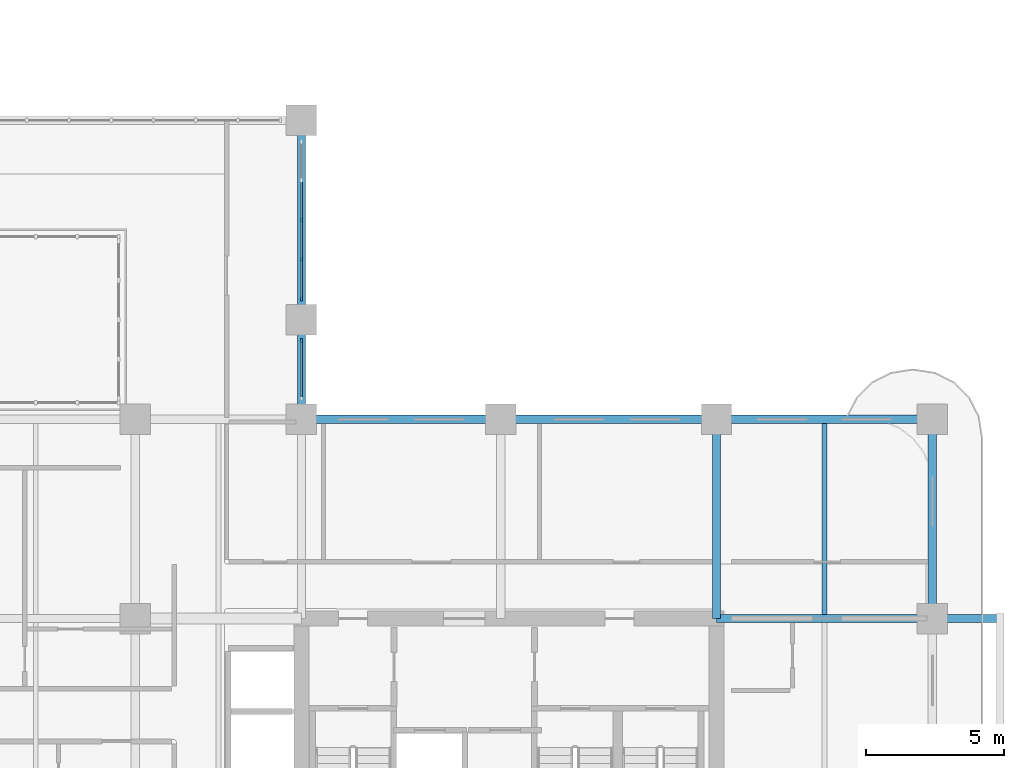
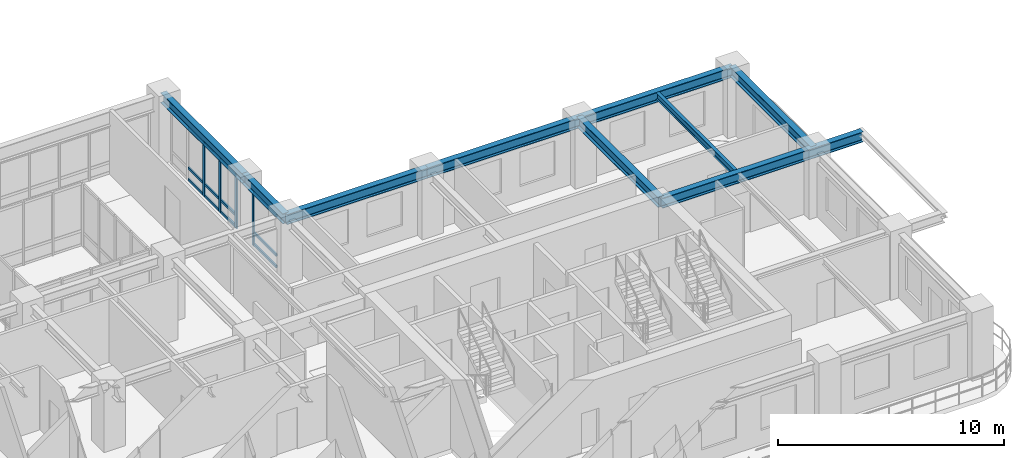
# One storey, part 5 of 22: 16 members, 9 beams, 2 elements without a shape of their own.
"""IFC4 building model written with IfcOpenShell, lengths in metres."""

from ifc_helpers import new_model, si_unit, derived_unit, direction, frame, origin, origin_2d, place, context, subcontext, project, spatial, rectangle, i_section, extrude, source, transform, mapped, material, layer, layer_set, material_profile, profile_set, type_object, type_shapes, element, aggregate, save


model = new_model("IFC4")

# Units and contexts
model_context = context("Model", 3, precision=1e-05, world=origin(), true_north=direction((0.0, 1.0)))
body_context = subcontext(model_context, "Body", "Model", "MODEL_VIEW")
ifc_project = project(units=[si_unit("LENGTHUNIT", "METRE"), si_unit("AREAUNIT", "SQUARE_METRE"), si_unit("VOLUMEUNIT", "CUBIC_METRE"), si_unit("PLANEANGLEUNIT", "RADIAN"), si_unit("MASSUNIT", "GRAM", prefix="KILO"), si_unit("THERMODYNAMICTEMPERATUREUNIT", "KELVIN"), si_unit("POWERUNIT", "WATT"), derived_unit("THERMALTRANSMITTANCEUNIT", [(si_unit("POWERUNIT", "WATT"), 1), (si_unit("AREAUNIT", "SQUARE_METRE"), -1), (si_unit("THERMODYNAMICTEMPERATUREUNIT", "KELVIN"), -1)])], contexts=[model_context])

# Site, building, storey
site_placement = place(None, origin())
site = spatial("IfcSite", under=ifc_project, at=site_placement, CompositionType="ELEMENT")
building_placement = place(site_placement, origin())
building = spatial("IfcBuilding", under=site, at=building_placement, Name="Zahravan Archway Hotel and Residences", CompositionType="ELEMENT")
storey_placement = place(building_placement, frame((0.0, 0.0, 87.89990234375)))
storey = spatial("IfcBuildingStorey", under=building, at=storey_placement, Name="L21", CompositionType="ELEMENT", Elevation=87.89990234375)

# Beams
ifc_material_1 = material(Name="Structural Steel S355JR", Category="steel")
ifc_material_profile_1 = material_profile(ifc_material_1, i_section(OverallWidth=0.300048828125, OverallDepth=0.550048828125, WebThickness=0.014892578125, FlangeThickness=0.029052734375, FilletRadius=0.027099609375, at=origin_2d()), Name="HEB 550", Category="steel")
ifc_profile_set_1 = profile_set([ifc_material_profile_1], Name="Structural Steel S355JR")
beam_type_1 = type_object("IfcBeamType", Name="BM-PRI-HEB550", PredefinedType="BEAM", material=ifc_profile_set_1)
shared_shape_1 = source(origin(), body_context, "Body", "SweptSolid", [
    extrude(i_section(OverallWidth=0.300048828125, OverallDepth=0.550048828125, WebThickness=0.014892578125, FlangeThickness=0.029052734375, FilletRadius=0.027099609375, at=origin_2d()), origin(), (0.0, 0.0, 1.0), 7.2001953125),
])
type_shapes(beam_type_1, [shared_shape_1])
for number, where, z_axis, x_axis, name in (
    (1, (49.800048828125, 14.39990234375, 3.175048828125), (0.0, 1.0, 0.0), (-1.0, 0.0, 0.0), "L21 Primary Girder NS-49"),
    (2, (57.60009765625, 14.39990234375, 3.175048828125), (0.0, 1.0, 0.0), (-1.0, 0.0, 0.0), "L21 Primary Girder NS-52"),
):
    element("IfcBeam", number, at=place(storey_placement, frame(where, z_axis=z_axis, x_axis=x_axis)), inside=storey, type_object=beam_type_1, Name=name, PredefinedType="BEAM", context=body_context, shape_type="MappedRepresentation", body=[
        mapped(shared_shape_1, transform((0.0, 0.0, 0.0), scale=1.0)),
    ])
shared_shape_2 = source(origin(), body_context, "Body", "SweptSolid", [
    extrude(i_section(OverallWidth=0.300048828125, OverallDepth=0.550048828125, WebThickness=0.014892578125, FlangeThickness=0.029052734375, FilletRadius=0.027099609375, at=origin_2d()), origin(), (0.0, 0.0, 1.0), 7.199951171875),
])
for number, where, z_axis, x_axis, name in (
    (3, (34.800048828125, 21.60009765625, 3.175048828125), (1.0, 0.0, 0.0), (0.0, 1.0, 0.0), "L21 Primary Girder EW-17"),
    (4, (34.800048828125, 25.199951171875, 3.175048828125), (0.0, 1.0, 0.0), (-1.0, 0.0, 0.0), "L21 Primary Girder NS-47"),
):
    element("IfcBeam", number, at=place(storey_placement, frame(where, z_axis=z_axis, x_axis=x_axis)), inside=storey, type_object=beam_type_1, Name=name, PredefinedType="BEAM", context=body_context, shape_type="MappedRepresentation", body=[
        mapped(shared_shape_2, transform((0.0, 0.0, 0.0), scale=1.0)),
    ])
shared_shape_3 = source(origin(), body_context, "Body", "SweptSolid", [
    extrude(i_section(OverallWidth=0.300048828125, OverallDepth=0.550048828125, WebThickness=0.014892578125, FlangeThickness=0.029052734375, FilletRadius=0.027099609375, at=origin_2d()), origin(), (0.0, 0.0, 1.0), 7.800048828125),
])
for number, where, z_axis, x_axis, name in (
    (5, (42.0, 21.60009765625, 3.175048828125), (1.0, 0.0, 0.0), (0.0, 1.0, 0.0), "L21 Primary Girder EW-18"),
    (6, (49.800048828125, 21.60009765625, 3.175048828125), (1.0, 0.0, 0.0), (0.0, 1.0, 0.0), "L21 Primary Girder EW-19"),
):
    element("IfcBeam", number, at=place(storey_placement, frame(where, z_axis=z_axis, x_axis=x_axis)), inside=storey, type_object=beam_type_1, Name=name, PredefinedType="BEAM", context=body_context, shape_type="MappedRepresentation", body=[
        mapped(shared_shape_3, transform((0.0, 0.0, 0.0), scale=1.0)),
    ])
shared_shape_4 = source(origin(), body_context, "Body", "SweptSolid", [
    extrude(i_section(OverallWidth=0.300048828125, OverallDepth=0.550048828125, WebThickness=0.014892578125, FlangeThickness=0.029052734375, FilletRadius=0.027099609375, at=origin_2d()), origin(), (0.0, 0.0, 1.0), 3.599853515625),
])
beam_1_placement = place(storey_placement, frame((34.800048828125, 21.60009765625, 3.175048828125), z_axis=(0.0, 1.0, 0.0), x_axis=(-1.0, 0.0, 0.0)))
element("IfcBeam", 7, at=beam_1_placement, inside=storey, type_object=beam_type_1, Name="L21 Primary Girder NS-46", PredefinedType="BEAM", context=body_context, shape_type="MappedRepresentation", body=[
    mapped(shared_shape_4, transform((0.0, 0.0, 0.0), scale=1.0)),
])
shared_shape_5 = source(origin(), body_context, "Body", "SweptSolid", [
    extrude(i_section(OverallWidth=0.300048828125, OverallDepth=0.550048828125, WebThickness=0.014892578125, FlangeThickness=0.029052734375, FilletRadius=0.027099609375, at=origin_2d()), origin(), (0.0, 0.0, 1.0), 10.25),
])
beam_2_placement = place(storey_placement, frame((49.800048828125, 14.39990234375, 3.175048828125), z_axis=(1.0, 0.0, 0.0), x_axis=(0.0, 1.0, 0.0)))
element("IfcBeam", 8, at=beam_2_placement, inside=storey, type_object=beam_type_1, Name="L21 Primary Girder EW-13", PredefinedType="BEAM", context=body_context, shape_type="MappedRepresentation", body=[
    mapped(shared_shape_5, transform((0.0, 0.0, 0.0), scale=1.0)),
])
ifc_material_profile_2 = material_profile(ifc_material_1, i_section(OverallWidth=0.169921875, OverallDepth=0.360107421875, WebThickness=0.008056640625, FlangeThickness=0.0126953125, FilletRadius=0.01806640625, at=origin_2d()), Name="IPE 360", Category="steel")
ifc_profile_set_2 = profile_set([ifc_material_profile_2], Name="Structural Steel S355JR")
beam_type_2 = type_object("IfcBeamType", Name="BM-JST-IPE360", PredefinedType="JOIST", material=ifc_profile_set_2)
shared_shape_6 = source(origin(), body_context, "Body", "SweptSolid", [
    extrude(i_section(OverallWidth=0.169921875, OverallDepth=0.360107421875, WebThickness=0.008056640625, FlangeThickness=0.0126953125, FilletRadius=0.01806640625, at=origin_2d()), origin(), (0.0, 0.0, 1.0), 6.90380859375),
])
beam_3_placement = place(storey_placement, frame((53.699951171875, 14.548095703125, 3.27001953125), z_axis=(0.0, 1.0, 0.0), x_axis=(-1.0, 0.0, 0.0)))
element("IfcBeam", 9, at=beam_3_placement, inside=storey, type_object=beam_type_2, Name="L21 Composite Floor Joist 12", PredefinedType="JOIST", context=body_context, shape_type="MappedRepresentation", body=[
    mapped(shared_shape_6, transform((0.0, 0.0, 0.0), scale=1.0)),
])

# Curtain wall, members
ifc_material_2 = material(Name="Bronze-Anodized Unitised Aluminium & Low-E Glass", Category="aluminium")
ifc_layer = layer(ifc_material_2, 0.179931640625, Name="Bronze-Anodized Unitised Aluminium & Low-E Glass", Category="aluminium")
ifc_layer_set = layer_set([ifc_layer], Name="Bronze-Anodized Unitised Aluminium & Low-E Glass")
curtain_wall_type = type_object("IfcCurtainWallType", Name="CW-ATR-GLAZ", PredefinedType="NOTDEFINED", material=ifc_layer_set)
curtain_wall_1_placement = place(storey_placement, origin())
curtain_wall_1 = element("IfcCurtainWall", 10, at=curtain_wall_1_placement, inside=storey, type_object=curtain_wall_type, Name="L21 Curtain Wall CW-L21-HNG-E-2", PredefinedType="NOTDEFINED")
ifc_material_3 = material(Name="Bronze-Anodized Extruded Aluminium", Category="aluminium")
ifc_material_profile_3 = material_profile(ifc_material_3, rectangle(XDim=0.080078125, YDim=0.139892578125, at=origin_2d()), Name="TRN 80x140", Category="aluminium")
ifc_profile_set_3 = profile_set([ifc_material_profile_3], Name="Bronze-Anodized Extruded Aluminium")
member_type_1 = type_object("IfcMemberType", Name="CWM-TRN-140", PredefinedType="USERDEFINED", material=ifc_profile_set_3)
shared_shape_7 = source(origin(), body_context, "Body", "SweptSolid", [
    extrude(rectangle(XDim=0.080078125, YDim=0.139892578125, at=origin_2d()), origin(), (0.0, 0.0, 1.0), 1.33984375),
])
member_1_placement = place(storey_placement, frame((34.800048828125, 28.840087890625, 0.070068359375), z_axis=(0.0, 1.0, 0.0), x_axis=(-1.0, 0.0, 0.0)))
member_1 = element("IfcMember", 11, at=member_1_placement, type_object=member_type_1, Name="CW-L21-HNG-E-2 Transom 2-1", ObjectType="TRANSOM", PredefinedType="USERDEFINED", context=body_context, shape_type="MappedRepresentation", body=[
    mapped(shared_shape_7, transform((0.0, 0.0, 0.0), scale=1.0)),
])
member_2_placement = place(storey_placement, frame((34.800048828125, 28.840087890625, 0.6923828125), z_axis=(0.0, 1.0, 0.0), x_axis=(-1.0, 0.0, 0.0)))
member_2 = element("IfcMember", 12, at=member_2_placement, type_object=member_type_1, Name="CW-L21-HNG-E-2 Transom 2-2", ObjectType="TRANSOM", PredefinedType="USERDEFINED", context=body_context, shape_type="MappedRepresentation", body=[
    mapped(shared_shape_7, transform((0.0, 0.0, 0.0), scale=1.0)),
])
member_3_placement = place(storey_placement, frame((34.800048828125, 28.840087890625, 2.815185546875), z_axis=(0.0, 1.0, 0.0), x_axis=(-1.0, 0.0, 0.0)))
member_3 = element("IfcMember", 13, at=member_3_placement, type_object=member_type_1, Name="CW-L21-HNG-E-2 Transom 2-3", ObjectType="TRANSOM", PredefinedType="USERDEFINED", context=body_context, shape_type="MappedRepresentation", body=[
    mapped(shared_shape_7, transform((0.0, 0.0, 0.0), scale=1.0)),
])
shared_shape_8 = source(origin(), body_context, "Body", "SweptSolid", [
    extrude(rectangle(XDim=0.080078125, YDim=0.139892578125, at=origin_2d()), origin(), (0.0, 0.0, 1.0), 1.340087890625),
])
member_4_placement = place(storey_placement, frame((34.800048828125, 26.0, 0.070068359375), z_axis=(0.0, 1.0, 0.0), x_axis=(-1.0, 0.0, 0.0)))
member_4 = element("IfcMember", 14, at=member_4_placement, type_object=member_type_1, Name="CW-L21-HNG-E-2 Transom 0-1", ObjectType="TRANSOM", PredefinedType="USERDEFINED", context=body_context, shape_type="MappedRepresentation", body=[
    mapped(shared_shape_8, transform((0.0, 0.0, 0.0), scale=1.0)),
])
member_5_placement = place(storey_placement, frame((34.800048828125, 26.0, 0.6923828125), z_axis=(0.0, 1.0, 0.0), x_axis=(-1.0, 0.0, 0.0)))
member_5 = element("IfcMember", 15, at=member_5_placement, type_object=member_type_1, Name="CW-L21-HNG-E-2 Transom 0-2", ObjectType="TRANSOM", PredefinedType="USERDEFINED", context=body_context, shape_type="MappedRepresentation", body=[
    mapped(shared_shape_8, transform((0.0, 0.0, 0.0), scale=1.0)),
])
member_6_placement = place(storey_placement, frame((34.800048828125, 26.0, 2.815185546875), z_axis=(0.0, 1.0, 0.0), x_axis=(-1.0, 0.0, 0.0)))
member_6 = element("IfcMember", 16, at=member_6_placement, type_object=member_type_1, Name="CW-L21-HNG-E-2 Transom 0-3", ObjectType="TRANSOM", PredefinedType="USERDEFINED", context=body_context, shape_type="MappedRepresentation", body=[
    mapped(shared_shape_8, transform((0.0, 0.0, 0.0), scale=1.0)),
])
member_7_placement = place(storey_placement, frame((34.800048828125, 27.419921875, 0.070068359375), z_axis=(0.0, 1.0, 0.0), x_axis=(-1.0, 0.0, 0.0)))
member_7 = element("IfcMember", 17, at=member_7_placement, type_object=member_type_1, Name="CW-L21-HNG-E-2 Transom 1-1", ObjectType="TRANSOM", PredefinedType="USERDEFINED", context=body_context, shape_type="MappedRepresentation", body=[
    mapped(shared_shape_8, transform((0.0, 0.0, 0.0), scale=1.0)),
])
member_8_placement = place(storey_placement, frame((34.800048828125, 27.419921875, 0.6923828125), z_axis=(0.0, 1.0, 0.0), x_axis=(-1.0, 0.0, 0.0)))
member_8 = element("IfcMember", 18, at=member_8_placement, type_object=member_type_1, Name="CW-L21-HNG-E-2 Transom 1-2", ObjectType="TRANSOM", PredefinedType="USERDEFINED", context=body_context, shape_type="MappedRepresentation", body=[
    mapped(shared_shape_8, transform((0.0, 0.0, 0.0), scale=1.0)),
])
member_9_placement = place(storey_placement, frame((34.800048828125, 27.419921875, 2.815185546875), z_axis=(0.0, 1.0, 0.0), x_axis=(-1.0, 0.0, 0.0)))
member_9 = element("IfcMember", 19, at=member_9_placement, type_object=member_type_1, Name="CW-L21-HNG-E-2 Transom 1-3", ObjectType="TRANSOM", PredefinedType="USERDEFINED", context=body_context, shape_type="MappedRepresentation", body=[
    mapped(shared_shape_8, transform((0.0, 0.0, 0.0), scale=1.0)),
])

# Curtain wall, member
curtain_wall_2_placement = place(storey_placement, origin())
curtain_wall_2 = element("IfcCurtainWall", 20, at=curtain_wall_2_placement, inside=storey, type_object=curtain_wall_type, Name="L21 Curtain Wall CW-L21-HNG-E-1", PredefinedType="NOTDEFINED")
ifc_material_profile_4 = material_profile(ifc_material_3, rectangle(XDim=0.080078125, YDim=0.159912109375, at=origin_2d()), Name="MUL 80x160", Category="aluminium")
ifc_profile_set_4 = profile_set([ifc_material_profile_4], Name="Bronze-Anodized Extruded Aluminium")
member_type_2 = type_object("IfcMemberType", Name="CWM-MUL-160", PredefinedType="MULLION", material=ifc_profile_set_4)
shared_shape_9 = source(origin(), body_context, "Body", "SweptSolid", [
    extrude(rectangle(XDim=0.080078125, YDim=0.159912109375, at=origin_2d()), origin(), (0.0, 0.0, 1.0), 2.885009765625),
])
member_10_placement = place(storey_placement, frame((34.800048828125, 24.43994140625, 0.0), z_axis=(0.0, 0.0, 1.0), x_axis=(1.0, 0.0, 0.0)))
member_10 = element("IfcMember", 21, at=member_10_placement, type_object=member_type_2, Name="CW-L21-HNG-E-1 Mullion 1", PredefinedType="MULLION", context=body_context, shape_type="MappedRepresentation", body=[
    mapped(shared_shape_9, transform((0.0, 0.0, 0.0), scale=1.0)),
])

# Member
member_11_placement = place(storey_placement, frame((34.800048828125, 25.9599609375, 0.0), z_axis=(0.0, 0.0, 1.0), x_axis=(1.0, 0.0, 0.0)))
member_11 = element("IfcMember", 22, at=member_11_placement, type_object=member_type_2, Name="CW-L21-HNG-E-2 Mullion 0", PredefinedType="MULLION", context=body_context, shape_type="MappedRepresentation", body=[
    mapped(shared_shape_9, transform((0.0, 0.0, 0.0), scale=1.0)),
])

member_12_placement = place(storey_placement, frame((34.800048828125, 27.3798828125, 0.0), z_axis=(0.0, 0.0, 1.0), x_axis=(1.0, 0.0, 0.0)))
member_12 = element("IfcMember", 23, at=member_12_placement, type_object=member_type_2, Name="CW-L21-HNG-E-2 Mullion 1", PredefinedType="MULLION", context=body_context, shape_type="MappedRepresentation", body=[
    mapped(shared_shape_9, transform((0.0, 0.0, 0.0), scale=1.0)),
])

member_13_placement = place(storey_placement, frame((34.800048828125, 28.800048828125, 0.0), z_axis=(0.0, 0.0, 1.0), x_axis=(1.0, 0.0, 0.0)))
member_13 = element("IfcMember", 24, at=member_13_placement, type_object=member_type_2, Name="CW-L21-HNG-E-2 Mullion 2", PredefinedType="MULLION", context=body_context, shape_type="MappedRepresentation", body=[
    mapped(shared_shape_9, transform((0.0, 0.0, 0.0), scale=1.0)),
])

aggregate(curtain_wall_1, [member_11, member_12, member_13, member_4, member_5, member_6, member_7, member_8, member_9, member_1, member_2, member_3])

shared_shape_10 = source(origin(), body_context, "Body", "SweptSolid", [
    extrude(rectangle(XDim=0.080078125, YDim=0.139892578125, at=origin_2d()), origin(), (0.0, 0.0, 1.0), 2.0),
])
member_14_placement = place(storey_placement, frame((34.800048828125, 22.39990234375, 0.070068359375), z_axis=(0.0, 1.0, 0.0), x_axis=(-1.0, 0.0, 0.0)))
member_14 = element("IfcMember", 25, at=member_14_placement, type_object=member_type_1, Name="CW-L21-HNG-E-1 Transom 0-1", ObjectType="TRANSOM", PredefinedType="USERDEFINED", context=body_context, shape_type="MappedRepresentation", body=[
    mapped(shared_shape_10, transform((0.0, 0.0, 0.0), scale=1.0)),
])

member_15_placement = place(storey_placement, frame((34.800048828125, 22.39990234375, 0.6923828125), z_axis=(0.0, 1.0, 0.0), x_axis=(-1.0, 0.0, 0.0)))
member_15 = element("IfcMember", 26, at=member_15_placement, type_object=member_type_1, Name="CW-L21-HNG-E-1 Transom 0-2", ObjectType="TRANSOM", PredefinedType="USERDEFINED", context=body_context, shape_type="MappedRepresentation", body=[
    mapped(shared_shape_10, transform((0.0, 0.0, 0.0), scale=1.0)),
])

member_16_placement = place(storey_placement, frame((34.800048828125, 22.39990234375, 2.815185546875), z_axis=(0.0, 1.0, 0.0), x_axis=(-1.0, 0.0, 0.0)))
member_16 = element("IfcMember", 27, at=member_16_placement, type_object=member_type_1, Name="CW-L21-HNG-E-1 Transom 0-3", ObjectType="TRANSOM", PredefinedType="USERDEFINED", context=body_context, shape_type="MappedRepresentation", body=[
    mapped(shared_shape_10, transform((0.0, 0.0, 0.0), scale=1.0)),
])

aggregate(curtain_wall_2, [member_10, member_14, member_15, member_16])

save(model, "model.ifc")
